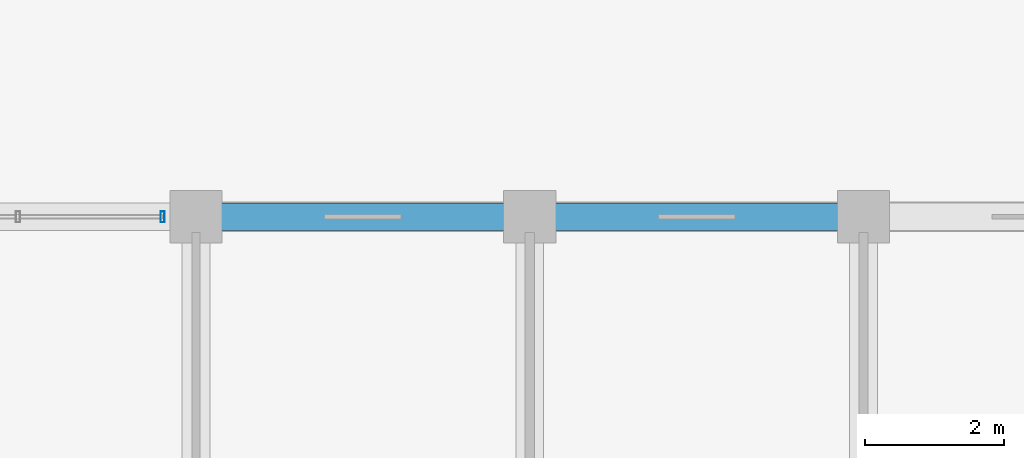
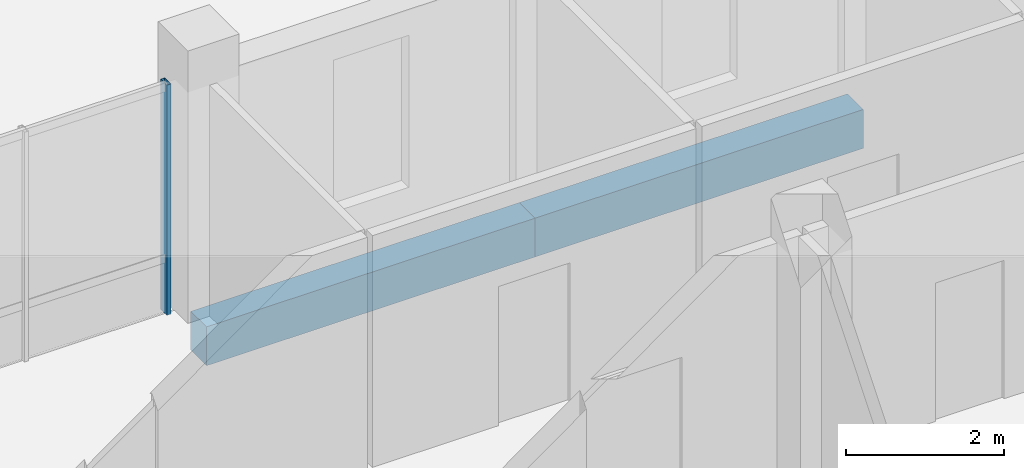
# One storey, part 22 of 98: 2 beams, 1 member, 1 element without a shape of its own.
"""IFC4 building model written with IfcOpenShell, lengths in metres."""

from ifc_helpers import new_model, si_unit, direction, frame, origin, origin_2d, place, context, subcontext, project, spatial, rectangle, hollow_rectangle, extrude, material, material_profile, profile_set, type_object, element, aggregate, save


model = new_model("IFC4")

# Units and contexts
model_context = context("Model", 3, precision=1e-05, world=origin(), true_north=direction((0.0, 1.0)))
body_context = subcontext(model_context, "Body", "Model", "MODEL_VIEW")
ifc_project = project(units=[si_unit("LENGTHUNIT", "METRE"), si_unit("AREAUNIT", "SQUARE_METRE"), si_unit("VOLUMEUNIT", "CUBIC_METRE"), si_unit("PLANEANGLEUNIT", "RADIAN"), si_unit("MASSUNIT", "GRAM", prefix="KILO")], contexts=[model_context])

# Site, building, storey
site_placement = place(None, origin())
site = spatial("IfcSite", under=ifc_project, at=site_placement, CompositionType="ELEMENT")
building_placement = place(site_placement, origin())
building = spatial("IfcBuilding", under=site, at=building_placement, Name="Zornivar Specialist Clinic", CompositionType="ELEMENT")
storey_placement = place(building_placement, origin())
storey = spatial("IfcBuildingStorey", under=building, at=storey_placement, Name="L00", CompositionType="ELEMENT", Elevation=0.0)

# Beams
ifc_material_1 = material(Name="Concrete C30/37", Category="concrete")
ifc_material_profile_1 = material_profile(ifc_material_1, rectangle(XDim=0.39990234375, YDim=0.60009765625, at=origin_2d()), Name="RC 400x600")
ifc_profile_set_1 = profile_set([ifc_material_profile_1], Name="Concrete C30/37")
beam_type = type_object("IfcBeamType", Name="BM-RC-400x600", PredefinedType="BEAM", material=ifc_profile_set_1)
beam_1_placement = place(storey_placement, frame((28.800048828125, 14.39990234375, -0.580078125), z_axis=(1.0, 0.0, 0.0), x_axis=(0.0, 1.0, 0.0)))
element("IfcBeam", 1, at=beam_1_placement, inside=storey, type_object=beam_type, Name="bm:V2:L00:x:144:4", PredefinedType="BEAM", context=body_context, shape_type="SweptSolid", body=[
    extrude(rectangle(XDim=0.39990234375, YDim=0.60009765625, at=origin_2d()), origin(), (0.0, 0.0, 1.0), 4.800048828125),
])
beam_2_placement = place(storey_placement, frame((33.60009765625, 14.39990234375, -0.580078125), z_axis=(1.0, 0.0, 0.0), x_axis=(0.0, 1.0, 0.0)))
element("IfcBeam", 2, at=beam_2_placement, inside=storey, type_object=beam_type, Name="bm:V2:L00:x:144:5", PredefinedType="BEAM", context=body_context, shape_type="SweptSolid", body=[
    extrude(rectangle(XDim=0.39990234375, YDim=0.60009765625, at=origin_2d()), origin(), (0.0, 0.0, 1.0), 4.7998046875),
])

# Curtain wall, member
ifc_material_2 = material(Name="Aluminium and Low-E Glass Curtain Wall", Category="aluminium")
curtain_wall_type = type_object("IfcCurtainWallType", Name="CW-REVAK-COURT", PredefinedType="NOTDEFINED", material=ifc_material_2)
curtain_wall_placement = place(storey_placement, origin())
curtain_wall = element("IfcCurtainWall", 3, at=curtain_wall_placement, inside=storey, type_object=curtain_wall_type, Name="cw:V2:L00:12", PredefinedType="NOTDEFINED")
ifc_material_3 = material(Name="Aluminium AW-6060", Category="aluminium")
ifc_material_profile_2 = material_profile(ifc_material_3, hollow_rectangle(XDim=0.06005859375, YDim=0.159912109375, WallThickness=0.00390625, at=origin_2d()), Name="ALU 60x160x4")
ifc_profile_set_2 = profile_set([ifc_material_profile_2], Name="Aluminium AW-6060")
member_type = type_object("IfcMemberType", Name="CWM-MUL-160", PredefinedType="MULLION", material=ifc_profile_set_2)
member_placement = place(storey_placement, frame((28.320068359375, 14.39990234375, 0.0), z_axis=(0.0, 0.0, 1.0), x_axis=(1.0, 0.0, 0.0)))
member = element("IfcMember", 4, at=member_placement, type_object=member_type, Name="cw:V2:L00:12:mul:0", PredefinedType="MULLION", context=body_context, shape_type="SweptSolid", body=[
    extrude(hollow_rectangle(XDim=0.06005859375, YDim=0.159912109375, WallThickness=0.00390625, at=origin_2d()), origin(), (0.0, 0.0, 1.0), 3.56005859375),
])
aggregate(curtain_wall, [member])

save(model, "model.ifc")
